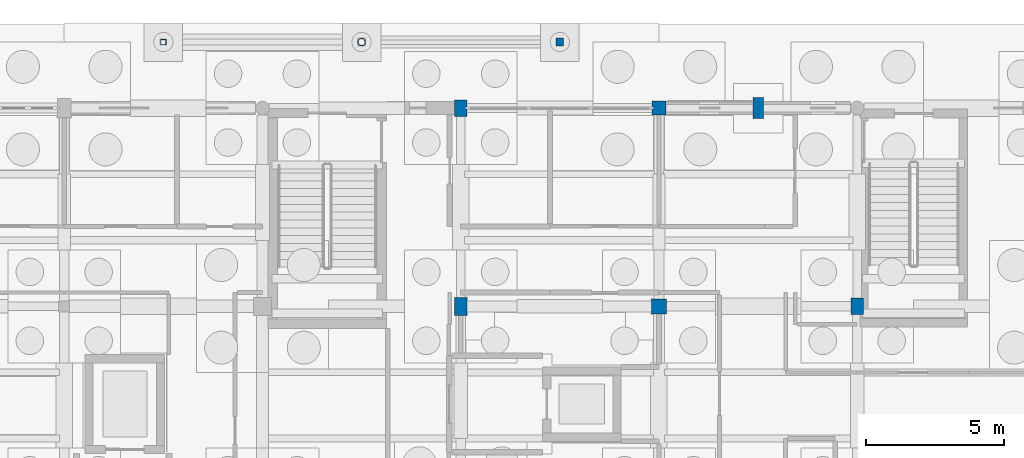
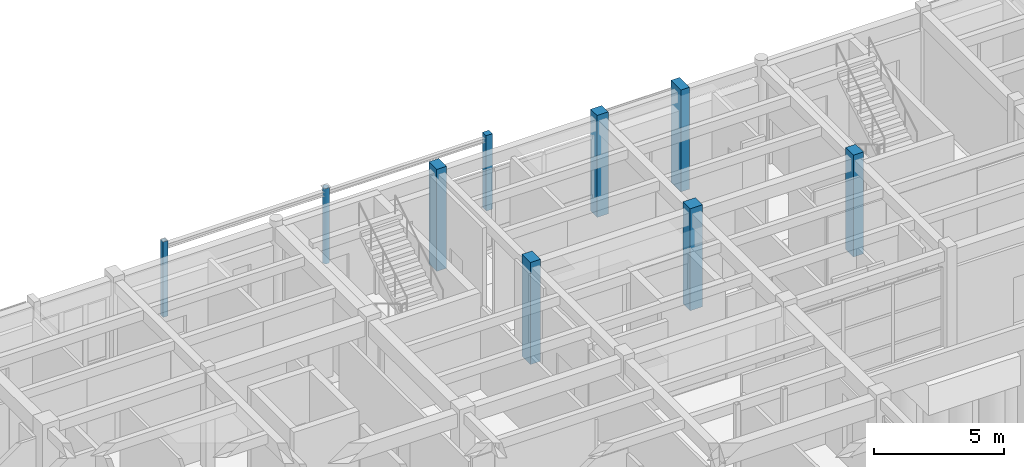
# One storey, part 27 of 143: 9 columns.
"""IFC4 building model written with IfcOpenShell, lengths in metres."""

from ifc_helpers import new_model, si_unit, direction, frame, origin, origin_2d, place, context, subcontext, project, spatial, rectangle, hollow_rectangle, hollow_circle, extrude, material, material_profile, profile_set, type_object, element, save


model = new_model("IFC4")

# Units and contexts
model_context = context("Model", 3, precision=1e-05, world=origin(), true_north=direction((0.0, 1.0)))
body_context = subcontext(model_context, "Body", "Model", "MODEL_VIEW")
ifc_project = project(units=[si_unit("LENGTHUNIT", "METRE"), si_unit("AREAUNIT", "SQUARE_METRE"), si_unit("VOLUMEUNIT", "CUBIC_METRE"), si_unit("PLANEANGLEUNIT", "RADIAN"), si_unit("MASSUNIT", "GRAM", prefix="KILO")], contexts=[model_context])

# Site, building, storey
site_placement = place(None, origin())
site = spatial("IfcSite", under=ifc_project, at=site_placement, CompositionType="ELEMENT")
building_placement = place(site_placement, origin())
building = spatial("IfcBuilding", under=site, at=building_placement, Name="Steenspoor Specialist Clinic", CompositionType="ELEMENT")
storey_placement = place(building_placement, origin())
storey = spatial("IfcBuildingStorey", under=building, at=storey_placement, Name="L00", CompositionType="ELEMENT", Elevation=0.0)

# Columns
ifc_material_1 = material(Name="Glulam GL28h", Category="wood")
ifc_material_profile_1 = material_profile(ifc_material_1, rectangle(XDim=0.280029296875, YDim=0.280029296875, at=origin_2d()), Name="GL28H-280X280")
ifc_profile_set_1 = profile_set([ifc_material_profile_1], Name="Glulam GL28h")
column_type_1 = type_object("IfcColumnType", Name="COL-GL-280", PredefinedType="COLUMN", material=ifc_profile_set_1)
column_1_placement = place(storey_placement, frame((92.0, 110.75, 0.0), z_axis=(0.0, 0.0, 1.0), x_axis=(1.0, 0.0, 0.0)))
element("IfcColumn", 1, at=column_1_placement, inside=storey, type_object=column_type_1, Name="Porch Column COL-L00-0843", PredefinedType="COLUMN", context=body_context, shape_type="SweptSolid", body=[
    extrude(rectangle(XDim=0.280029296875, YDim=0.280029296875, at=origin_2d()), origin(), (0.0, 0.0, 1.0), 3.550048828125),
])
ifc_material_2 = material(Name="Concrete C40/50", Category="concrete")
ifc_material_profile_2 = material_profile(ifc_material_2, rectangle(XDim=0.449951171875, YDim=0.60009765625, at=origin_2d()), Name="RC-COL-450X600")
ifc_profile_set_2 = profile_set([ifc_material_profile_2], Name="Concrete C40/50")
column_type_2 = type_object("IfcColumnType", Name="COL-RC-450X600", PredefinedType="COLUMN", material=ifc_profile_set_2)
for number, where, z_axis, x_axis, name in (
    (2, (88.39990234375, 108.35009765625, 0.0), (0.0, 0.0, 1.0), (1.0, 0.0, 0.0), "Column COL-L00-0374"),
    (3, (102.800048828125, 101.14990234375, 0.0), (0.0, 0.0, 1.0), (1.0, 0.0, 0.0), "Column COL-L00-0434"),
):
    element("IfcColumn", number, at=place(storey_placement, frame(where, z_axis=z_axis, x_axis=x_axis)), inside=storey, type_object=column_type_2, Name=name, PredefinedType="COLUMN", context=body_context, shape_type="SweptSolid", body=[
        extrude(rectangle(XDim=0.449951171875, YDim=0.60009765625, at=origin_2d()), origin(), (0.0, 0.0, 1.0), 4.800048828125),
    ])
ifc_material_profile_3 = material_profile(ifc_material_2, rectangle(XDim=0.449951171875, YDim=0.64990234375, at=origin_2d()), Name="RC-COL-450X650")
ifc_profile_set_3 = profile_set([ifc_material_profile_3], Name="Concrete C40/50")
column_type_3 = type_object("IfcColumnType", Name="COL-RC-450X650", PredefinedType="COLUMN", material=ifc_profile_set_3)
column_2_placement = place(storey_placement, frame((88.39990234375, 101.14990234375, 0.0), z_axis=(0.0, 0.0, 1.0), x_axis=(1.0, 0.0, 0.0)))
element("IfcColumn", 4, at=column_2_placement, inside=storey, type_object=column_type_3, Name="Column COL-L00-0368", PredefinedType="COLUMN", context=body_context, shape_type="SweptSolid", body=[
    extrude(rectangle(XDim=0.449951171875, YDim=0.64990234375, at=origin_2d()), origin(), (0.0, 0.0, 1.0), 4.800048828125),
])
ifc_material_profile_4 = material_profile(ifc_material_2, rectangle(XDim=0.5, YDim=0.5, at=origin_2d()), Name="RC-COL-500X500")
ifc_profile_set_4 = profile_set([ifc_material_profile_4], Name="Concrete C40/50")
column_type_4 = type_object("IfcColumnType", Name="COL-RC-500", PredefinedType="COLUMN", material=ifc_profile_set_4)
column_3_placement = place(storey_placement, frame((95.60009765625, 108.35009765625, 0.0), z_axis=(0.0, 0.0, 1.0), x_axis=(1.0, 0.0, 0.0)))
element("IfcColumn", 5, at=column_3_placement, inside=storey, type_object=column_type_4, Name="Column COL-L00-0411", PredefinedType="COLUMN", context=body_context, shape_type="SweptSolid", body=[
    extrude(rectangle(XDim=0.5, YDim=0.5, at=origin_2d()), origin(), (0.0, 0.0, 1.0), 4.800048828125),
])
ifc_material_profile_5 = material_profile(ifc_material_2, rectangle(XDim=0.550048828125, YDim=0.550048828125, at=origin_2d()), Name="RC-COL-550X550")
ifc_profile_set_5 = profile_set([ifc_material_profile_5], Name="Concrete C40/50")
column_type_5 = type_object("IfcColumnType", Name="COL-RC-550", PredefinedType="COLUMN", material=ifc_profile_set_5)
column_4_placement = place(storey_placement, frame((95.60009765625, 101.14990234375, 0.0), z_axis=(0.0, 0.0, 1.0), x_axis=(1.0, 0.0, 0.0)))
element("IfcColumn", 6, at=column_4_placement, inside=storey, type_object=column_type_5, Name="Column COL-L00-0405", PredefinedType="COLUMN", context=body_context, shape_type="SweptSolid", body=[
    extrude(rectangle(XDim=0.550048828125, YDim=0.550048828125, at=origin_2d()), origin(), (0.0, 0.0, 1.0), 4.800048828125),
])
ifc_material_3 = material(Name="Steel A500 Grade C", Category="steel")
ifc_material_profile_6 = material_profile(ifc_material_3, hollow_circle(Radius=0.136474609375, WallThickness=0.00927734375, at=origin_2d()), Name="CHS273X9.3")
ifc_profile_set_6 = profile_set([ifc_material_profile_6], Name="Steel A500 Grade C")
column_type_6 = type_object("IfcColumnType", Name="COL-ST-CHS273", PredefinedType="COLUMN", material=ifc_profile_set_6)
column_5_placement = place(storey_placement, frame((84.800048828125, 110.75, 0.0), z_axis=(0.0, 0.0, 1.0), x_axis=(1.0, 0.0, 0.0)))
element("IfcColumn", 7, at=column_5_placement, inside=storey, type_object=column_type_6, Name="Porch Column COL-L00-0842", PredefinedType="COLUMN", context=body_context, shape_type="SweptSolid", body=[
    extrude(hollow_circle(Radius=0.136474609375, WallThickness=0.00927734375, at=origin_2d()), origin(), (0.0, 0.0, 1.0), 3.550048828125),
])
ifc_material_profile_7 = material_profile(ifc_material_3, hollow_rectangle(XDim=0.203125, YDim=0.203125, WallThickness=0.01171875, at=origin_2d()), Name="HSS203X203X12.7")
ifc_profile_set_7 = profile_set([ifc_material_profile_7], Name="Steel A500 Grade C")
column_type_7 = type_object("IfcColumnType", Name="COL-ST-HSS203", PredefinedType="COLUMN", material=ifc_profile_set_7)
column_6_placement = place(storey_placement, frame((77.60009765625, 110.75, 0.0), z_axis=(0.0, 0.0, 1.0), x_axis=(1.0, 0.0, 0.0)))
element("IfcColumn", 8, at=column_6_placement, inside=storey, type_object=column_type_7, Name="Porch Column COL-L00-0841", PredefinedType="COLUMN", context=body_context, shape_type="SweptSolid", body=[
    extrude(hollow_rectangle(XDim=0.203125, YDim=0.203125, WallThickness=0.01171875, at=origin_2d()), origin(), (0.0, 0.0, 1.0), 3.550048828125),
])
ifc_material_profile_8 = material_profile(ifc_material_2, rectangle(XDim=0.3798828125, YDim=0.760009765625, at=origin_2d()), Name="RC-PIL-380X760")
ifc_profile_set_8 = profile_set([ifc_material_profile_8], Name="Concrete C40/50")
column_type_8 = type_object("IfcColumnType", Name="PIL-RC-380X760", PredefinedType="PILASTER", material=ifc_profile_set_8)
column_7_placement = place(storey_placement, frame((99.199951171875, 108.35009765625, 0.0), z_axis=(0.0, 0.0, 1.0), x_axis=(1.0, 0.0, 0.0)))
element("IfcColumn", 9, at=column_7_placement, inside=storey, type_object=column_type_8, Name="Brick Pilaster PIL-L00-023", PredefinedType="PILASTER", context=body_context, shape_type="SweptSolid", body=[
    extrude(rectangle(XDim=0.3798828125, YDim=0.760009765625, at=origin_2d()), origin(), (0.0, 0.0, 1.0), 4.800048828125),
])

save(model, "model.ifc")
